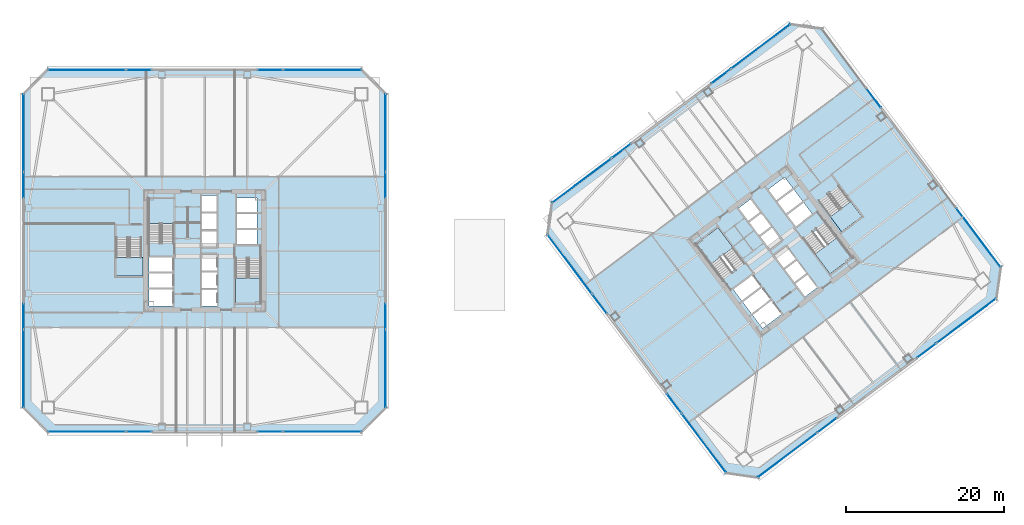
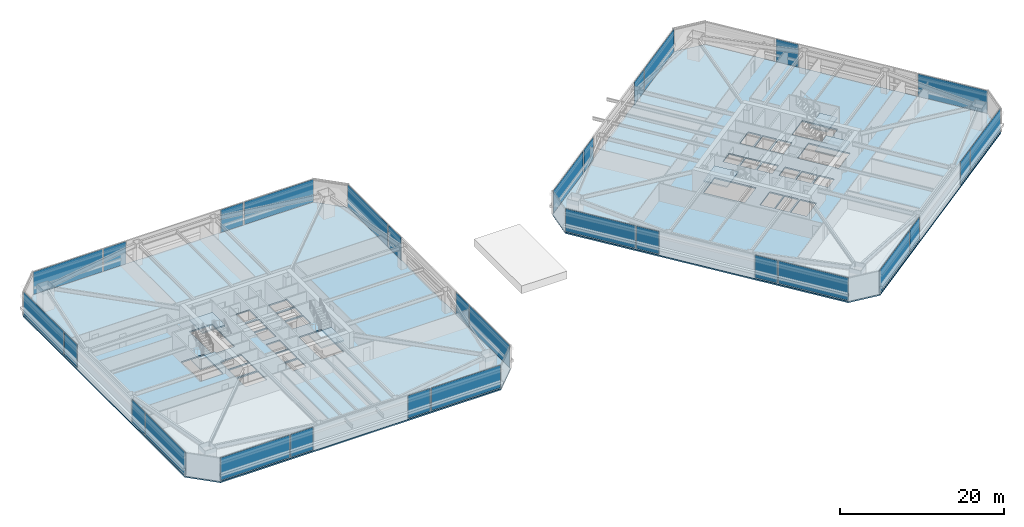
# One storey, part 32 of 46: 30 plates, 8 slabs, 36 elements without a shape of their own.
"""IFC4 building model written with IfcOpenShell, lengths in metres."""

import ifcopenshell
import ifcopenshell.guid

model = None  # the IFC model being written
_history = None  # IfcOwnerHistory: only IFC2X3 demands one
_inside = {}  # id of a spatial element -> (the spatial element, [elements in it])
_under = {}  # id of a project, library or spatial element -> (it, [spatial elements below it])
_declared = {}  # id of a project -> (the project, [libraries it declares])
_typed = {}  # id of a type object -> (the type object, [elements of that type])
_made_of = {}  # id of a material, layer set ... -> (it, [elements and type objects made of it])


def new_model(schema):
    """Start an empty IFC model of exactly this schema.

    Asked for "IFC4X3", IfcOpenShell would pick the latest addendum, in which some entities
    have other attributes; the version numbers below select the first issue.
    IFC2X3 requires an IfcOwnerHistory on every rooted entity: one is made here for all.
    """
    global model, _history
    if schema == "IFC4X3":
        model = ifcopenshell.file(schema_version=(4, 3, 0, 0))
    else:
        model = ifcopenshell.file(schema=schema)
    _inside.clear()
    _under.clear()
    _declared.clear()
    _typed.clear()
    _made_of.clear()
    _history = None
    if model.schema == "IFC2X3":
        org = make("IfcOrganization", Name="unknown")
        user = make(
            "IfcPersonAndOrganization",
            ThePerson=make("IfcPerson", FamilyName="unknown"),
            TheOrganization=org,
        )
        app = make(
            "IfcApplication",
            ApplicationDeveloper=org,
            Version="unknown",
            ApplicationFullName="unknown",
            ApplicationIdentifier="unknown",
        )
        _history = make(
            "IfcOwnerHistory",
            OwningUser=user,
            OwningApplication=app,
            ChangeAction="ADDED",
            CreationDate=0,
        )
    return model


def make(cls, **values):
    """One entity of the class cls with the attributes given. An attribute that is None is left unset."""
    return model.create_entity(
        cls, **{name: value for name, value in values.items() if value is not None}
    )


def rooted(cls, **values):
    """An entity with a GlobalId (a new one), such as an element, a storey or a relation."""
    return make(cls, GlobalId=ifcopenshell.guid.new(), OwnerHistory=_history, **values)


def si_unit(unit_type, name, prefix=None):
    """IfcSIUnit, for example si_unit("LENGTHUNIT", "METRE", prefix="MILLI")."""
    return make("IfcSIUnit", UnitType=unit_type, Prefix=prefix, Name=name)


def assignment(units):
    """IfcUnitAssignment: the units of a project."""
    return None if units is None else make("IfcUnitAssignment", Units=units)


def point(xyz):
    """IfcCartesianPoint."""
    return None if xyz is None else make("IfcCartesianPoint", Coordinates=xyz)


def direction(xyz):
    """IfcDirection."""
    return None if xyz is None else make("IfcDirection", DirectionRatios=xyz)


def frame(location, z_axis=None, x_axis=None):
    """IfcAxis2Placement3D, a coordinate frame: its origin and axes. An axis left out is left unset."""
    return make(
        "IfcAxis2Placement3D",
        Location=point(location),
        Axis=direction(z_axis),
        RefDirection=direction(x_axis),
    )


def frame_2d(location, x_axis=None):
    """IfcAxis2Placement2D, a coordinate frame in the plane: its origin and x axis."""
    return make(
        "IfcAxis2Placement2D", Location=point(location), RefDirection=direction(x_axis)
    )


def origin():
    """The frame at (0, 0, 0) with its axes left unset."""
    return frame((0.0, 0.0, 0.0))


def origin_2d():
    """The frame at (0, 0) in the plane with its x axis left unset."""
    return frame_2d((0.0, 0.0))


def place(relative_to, where):
    """IfcLocalPlacement: puts the frame where relative to a parent placement (None: the world)."""
    return make(
        "IfcLocalPlacement", PlacementRelTo=relative_to, RelativePlacement=where
    )


def context(
    kind, dimensions, precision=None, world=None, true_north=None, identifier=None
):
    """IfcGeometricRepresentationContext, for example the 3D "Model" context."""
    return make(
        "IfcGeometricRepresentationContext",
        ContextIdentifier=identifier,
        ContextType=kind,
        CoordinateSpaceDimension=dimensions,
        Precision=precision,
        WorldCoordinateSystem=world,
        TrueNorth=true_north,
    )


def subcontext(parent, identifier, kind, view, scale=None):
    """IfcGeometricRepresentationSubContext, for example "Body" below "Model"."""
    return make(
        "IfcGeometricRepresentationSubContext",
        ContextIdentifier=identifier,
        ContextType=kind,
        ParentContext=parent,
        TargetScale=scale,
        TargetView=view,
    )


def project(units=None, contexts=None):
    """IfcProject with its units and contexts."""
    return rooted(
        "IfcProject",
        Name="project",
        RepresentationContexts=contexts,
        UnitsInContext=assignment(units),
    )


def spatial(cls, under=None, at=None, **own):
    """A site, building, storey or space (cls), placed at a placement, below another one or the project."""
    s = rooted(cls, ObjectPlacement=at, **own)
    if under is not None:
        _under.setdefault(under.id(), (under, []))[1].append(s)
    return s


def polyline(points):
    """IfcPolyline through the points."""
    return make("IfcPolyline", Points=[point(p) for p in points])


def profile(cls, at=None, kind="AREA", **sizes):
    """A parametric profile (cls). Its sizes go by their IFC names, for example OverallWidth=200.0."""
    return make(cls, ProfileType=kind, Position=at, **sizes)


def rectangle(**sizes):
    """IfcRectangleProfileDef."""
    return profile("IfcRectangleProfileDef", **sizes)


def outline(outer, holes=None, kind="AREA"):
    """IfcArbitraryClosedProfileDef: a profile drawn as a closed curve; with holes, ...WithVoids."""
    if holes is None:
        return make("IfcArbitraryClosedProfileDef", ProfileType=kind, OuterCurve=outer)
    return make(
        "IfcArbitraryProfileDefWithVoids",
        ProfileType=kind,
        OuterCurve=outer,
        InnerCurves=holes,
    )


def extrude(swept, where, along, depth):
    """IfcExtrudedAreaSolid: the profile swept, set in the frame where, extruded along a direction by depth."""
    return make(
        "IfcExtrudedAreaSolid",
        SweptArea=swept,
        Position=where,
        ExtrudedDirection=direction(along),
        Depth=depth,
    )


def shape(context_of_items, identifier, shape_type, items):
    """IfcShapeRepresentation: the items that make up one representation, for example the "Body"."""
    return make(
        "IfcShapeRepresentation",
        ContextOfItems=context_of_items,
        RepresentationIdentifier=identifier,
        RepresentationType=shape_type,
        Items=items,
    )


def material(Name=None, Category=None):
    """IfcMaterial."""
    return make("IfcMaterial", Name=Name, Category=Category)


def layer(
    of_material, thickness, ventilated=None, Name=None, Category=None, Priority=None
):
    """IfcMaterialLayer: one layer of a wall or slab, of a material (None: an air gap)."""
    return make(
        "IfcMaterialLayer",
        Material=of_material,
        LayerThickness=thickness,
        IsVentilated=ventilated,
        Name=Name,
        Category=Category,
        Priority=Priority,
    )


def layer_set(layers, Name=None):
    """IfcMaterialLayerSet."""
    return make("IfcMaterialLayerSet", MaterialLayers=layers, LayerSetName=Name)


def made_of(thing, what):
    """Note that an element or type object is made of a material, layer set ...; save() writes the relation."""
    if what is not None:
        _made_of.setdefault(what.id(), (what, []))[1].append(thing)
    return thing


def type_object(cls, material=None, **own):
    """A type object (cls), such as IfcWallType, which elements share."""
    return made_of(rooted(cls, **own), material)


def element(
    cls,
    number,
    at=None,
    inside=None,
    cuts=None,
    type_object=None,
    material=None,
    context=None,
    identifier="Body",
    shape_type=None,
    held_by="IfcProductDefinitionShape",
    body=None,
    shapes=None,
    **own,
):
    """One element of the class cls, such as IfcWall. Its Tag is "e" and its number.

    at: its placement. inside: the storey or other place that contains it. cuts: it is an
    opening in that element (IfcRelVoidsElement). A single representation is given by context,
    identifier, shape_type and body (its items); several are given by shapes. held_by: the class
    of the entity that holds the representations. save() writes the other relations.
    """
    e = rooted(cls, Tag="e%d" % number, ObjectPlacement=at, **own)
    if body is not None:
        shapes = [shape(context, identifier, shape_type, body)]
    if shapes is not None:
        e.Representation = make(held_by, Representations=shapes)
    if inside is not None:
        _inside.setdefault(inside.id(), (inside, []))[1].append(e)
    if cuts is not None:
        rooted(
            "IfcRelVoidsElement", RelatingBuildingElement=cuts, RelatedOpeningElement=e
        )
    if type_object is not None:
        _typed.setdefault(type_object.id(), (type_object, []))[1].append(e)
    return made_of(e, material)


def aggregate(whole, parts):
    """IfcRelAggregates: a whole, such as a stair, and the parts it consists of."""
    return rooted("IfcRelAggregates", RelatingObject=whole, RelatedObjects=parts)


def save(model, path):
    """Write the relations noted so far, then the file.

    IfcRelAggregates (storeys below a building ...), IfcRelContainedInSpatialStructure (elements
    in a storey), IfcRelDefinesByType, IfcRelAssociatesMaterial and IfcRelDeclares: one each for
    every whole, place, type object, material and project.
    """
    for whole, parts in _under.values():
        aggregate(whole, parts)
    for where, things in _inside.values():
        rooted(
            "IfcRelContainedInSpatialStructure",
            RelatedElements=things,
            RelatingStructure=where,
        )
    for kind, things in _typed.values():
        rooted("IfcRelDefinesByType", RelatedObjects=things, RelatingType=kind)
    for what, things in _made_of.values():
        rooted("IfcRelAssociatesMaterial", RelatedObjects=things, RelatingMaterial=what)
    for by, libraries in _declared.values():
        rooted("IfcRelDeclares", RelatingContext=by, RelatedDefinitions=libraries)
    model.write(path)


model = new_model("IFC4")

# Units and contexts
model_context = context("Model", 3, precision=1e-05, world=origin(), true_north=direction((0.0, 1.0)))
body_context = subcontext(model_context, "Body", "Model", "MODEL_VIEW")
ifc_project = project(units=[si_unit("LENGTHUNIT", "METRE"), si_unit("AREAUNIT", "SQUARE_METRE"), si_unit("VOLUMEUNIT", "CUBIC_METRE"), si_unit("PLANEANGLEUNIT", "RADIAN"), si_unit("MASSUNIT", "GRAM", prefix="KILO")], contexts=[model_context])

# Site, building, storey
site_placement = place(None, origin())
site = spatial("IfcSite", under=ifc_project, at=site_placement, CompositionType="ELEMENT")
building_placement = place(site_placement, origin())
building = spatial("IfcBuilding", under=site, at=building_placement, Name="Tashvorn Skyway Center", CompositionType="ELEMENT")
storey_placement = place(building_placement, frame((0.0, 0.0, 31.699951171875)))
storey = spatial("IfcBuildingStorey", under=building, at=storey_placement, Name="L07", CompositionType="ELEMENT", Elevation=31.699951171875)

# Curtain wall, plate
ifc_material_1 = material(Name="Thermally broken bronze-anodized aluminium 6063-T6", Category="aluminium")
curtain_wall_type = type_object("IfcCurtainWallType", Name="CW-CW-Z1", PredefinedType="NOTDEFINED", material=ifc_material_1)
curtain_wall_1_placement = place(storey_placement, origin())
curtain_wall_1 = element("IfcCurtainWall", 1, at=curtain_wall_1_placement, inside=storey, type_object=curtain_wall_type, Name="Tower 1 L07 South Unitised Curtain Wall Glazing Group 1", PredefinedType="NOTDEFINED")
ifc_material_2 = material(Name="Low-E solar-control double insulating safety glass", Category="glass")
ifc_layer_1 = layer(ifc_material_2, 0.048095703125)
ifc_layer_set_1 = layer_set([ifc_layer_1], Name="Low-E solar-control double insulating safety glass")
plate_type = type_object("IfcPlateType", Name="CWP-CW-Z1", PredefinedType="CURTAIN_PANEL", material=ifc_layer_set_1)
plate_1_placement = place(storey_placement, frame((56.909912109375, 9.1201171875, 0.085205078125), z_axis=(0.0, 0.0, 1.0), x_axis=(-1.0, 0.0, 0.0)))
plate_1 = element("IfcPlate", 2, at=plate_1_placement, type_object=plate_type, Name="CW-Z1 panel 1.1", PredefinedType="CURTAIN_PANEL", context=body_context, shape_type="SweptSolid", body=[
    extrude(rectangle(XDim=9.77001953125, YDim=0.048095703125, at=origin_2d()), origin(), (0.0, 0.0, 1.0), 3.3798828125),
])
aggregate(curtain_wall_1, [plate_1])

curtain_wall_2_placement = place(storey_placement, origin())
curtain_wall_2 = element("IfcCurtainWall", 3, at=curtain_wall_2_placement, inside=storey, type_object=curtain_wall_type, Name="Tower 1 L07 South Unitised Curtain Wall Glazing Group 2", PredefinedType="NOTDEFINED")
plate_2_placement = place(storey_placement, frame((50.283447265625, 9.1201171875, 0.085205078125), z_axis=(0.0, 0.0, 1.0), x_axis=(-1.0, 0.0, 0.0)))
plate_2 = element("IfcPlate", 4, at=plate_2_placement, type_object=plate_type, Name="CW-Z1 panel 1.1", PredefinedType="CURTAIN_PANEL", context=body_context, shape_type="SweptSolid", body=[
    extrude(rectangle(XDim=3.143310546875, YDim=0.048095703125, at=origin_2d()), origin(), (0.0, 0.0, 1.0), 3.3798828125),
])
aggregate(curtain_wall_2, [plate_2])

curtain_wall_3_placement = place(storey_placement, origin())
curtain_wall_3 = element("IfcCurtainWall", 5, at=curtain_wall_3_placement, inside=storey, type_object=curtain_wall_type, Name="Tower 1 L07 South Unitised Curtain Wall Glazing Group 3", PredefinedType="NOTDEFINED")
plate_3_placement = place(storey_placement, frame((33.716552734375, 9.1201171875, 0.085205078125), z_axis=(0.0, 0.0, 1.0), x_axis=(-1.0, 0.0, 0.0)))
plate_3 = element("IfcPlate", 6, at=plate_3_placement, type_object=plate_type, Name="CW-Z1 panel 1.1", PredefinedType="CURTAIN_PANEL", context=body_context, shape_type="SweptSolid", body=[
    extrude(rectangle(XDim=3.143310546875, YDim=0.048095703125, at=origin_2d()), origin(), (0.0, 0.0, 1.0), 3.3798828125),
])
aggregate(curtain_wall_3, [plate_3])

curtain_wall_4_placement = place(storey_placement, origin())
curtain_wall_4 = element("IfcCurtainWall", 7, at=curtain_wall_4_placement, inside=storey, type_object=curtain_wall_type, Name="Tower 1 L07 South Unitised Curtain Wall Glazing Group 4", PredefinedType="NOTDEFINED")
plate_4_placement = place(storey_placement, frame((27.090087890625, 9.1201171875, 0.085205078125), z_axis=(0.0, 0.0, 1.0), x_axis=(-1.0, 0.0, 0.0)))
plate_4 = element("IfcPlate", 8, at=plate_4_placement, type_object=plate_type, Name="CW-Z1 panel 1.1", PredefinedType="CURTAIN_PANEL", context=body_context, shape_type="SweptSolid", body=[
    extrude(rectangle(XDim=9.77001953125, YDim=0.048095703125, at=origin_2d()), origin(), (0.0, 0.0, 1.0), 3.3798828125),
])
aggregate(curtain_wall_4, [plate_4])

curtain_wall_5_placement = place(storey_placement, origin())
curtain_wall_5 = element("IfcCurtainWall", 9, at=curtain_wall_5_placement, inside=storey, type_object=curtain_wall_type, Name="Tower 1 L07 West Unitised Curtain Wall Glazing Group 1", PredefinedType="NOTDEFINED")
plate_5_placement = place(storey_placement, frame((19.1201171875, 17.090087890625, 0.085205078125), z_axis=(0.0, 0.0, 1.0), x_axis=(0.0, 1.0, 0.0)))
plate_5 = element("IfcPlate", 10, at=plate_5_placement, type_object=plate_type, Name="CW-Z1 panel 1.1", PredefinedType="CURTAIN_PANEL", context=body_context, shape_type="SweptSolid", body=[
    extrude(rectangle(XDim=9.77001953125, YDim=0.048095703125, at=origin_2d()), origin(), (0.0, 0.0, 1.0), 3.3798828125),
])
aggregate(curtain_wall_5, [plate_5])

curtain_wall_6_placement = place(storey_placement, origin())
curtain_wall_6 = element("IfcCurtainWall", 11, at=curtain_wall_6_placement, inside=storey, type_object=curtain_wall_type, Name="Tower 1 L07 West Unitised Curtain Wall Glazing Group 2", PredefinedType="NOTDEFINED")
plate_6_placement = place(storey_placement, frame((19.1201171875, 23.716552734375, 0.085205078125), z_axis=(0.0, 0.0, 1.0), x_axis=(0.0, 1.0, 0.0)))
plate_6 = element("IfcPlate", 12, at=plate_6_placement, type_object=plate_type, Name="CW-Z1 panel 1.1", PredefinedType="CURTAIN_PANEL", context=body_context, shape_type="SweptSolid", body=[
    extrude(rectangle(XDim=3.143310546875, YDim=0.048095703125, at=origin_2d()), origin(), (0.0, 0.0, 1.0), 3.3798828125),
])
aggregate(curtain_wall_6, [plate_6])

curtain_wall_7_placement = place(storey_placement, origin())
curtain_wall_7 = element("IfcCurtainWall", 13, at=curtain_wall_7_placement, inside=storey, type_object=curtain_wall_type, Name="Tower 1 L07 West Unitised Curtain Wall Glazing Group 3", PredefinedType="NOTDEFINED")
plate_7_placement = place(storey_placement, frame((19.1201171875, 40.283447265625, 0.085205078125), z_axis=(0.0, 0.0, 1.0), x_axis=(0.0, 1.0, 0.0)))
plate_7 = element("IfcPlate", 14, at=plate_7_placement, type_object=plate_type, Name="CW-Z1 panel 1.1", PredefinedType="CURTAIN_PANEL", context=body_context, shape_type="SweptSolid", body=[
    extrude(rectangle(XDim=3.143310546875, YDim=0.048095703125, at=origin_2d()), origin(), (0.0, 0.0, 1.0), 3.3798828125),
])
aggregate(curtain_wall_7, [plate_7])

curtain_wall_8_placement = place(storey_placement, origin())
curtain_wall_8 = element("IfcCurtainWall", 15, at=curtain_wall_8_placement, inside=storey, type_object=curtain_wall_type, Name="Tower 1 L07 West Unitised Curtain Wall Glazing Group 4", PredefinedType="NOTDEFINED")
plate_8_placement = place(storey_placement, frame((19.1201171875, 46.909912109375, 0.085205078125), z_axis=(0.0, 0.0, 1.0), x_axis=(0.0, 1.0, 0.0)))
plate_8 = element("IfcPlate", 16, at=plate_8_placement, type_object=plate_type, Name="CW-Z1 panel 1.1", PredefinedType="CURTAIN_PANEL", context=body_context, shape_type="SweptSolid", body=[
    extrude(rectangle(XDim=9.77001953125, YDim=0.048095703125, at=origin_2d()), origin(), (0.0, 0.0, 1.0), 3.3798828125),
])
aggregate(curtain_wall_8, [plate_8])

curtain_wall_9_placement = place(storey_placement, origin())
curtain_wall_9 = element("IfcCurtainWall", 17, at=curtain_wall_9_placement, inside=storey, type_object=curtain_wall_type, Name="Tower 1 L07 North Unitised Curtain Wall Glazing Group 1", PredefinedType="NOTDEFINED")
plate_9_placement = place(storey_placement, frame((27.090087890625, 54.8798828125, 0.085205078125), z_axis=(0.0, 0.0, 1.0), x_axis=(1.0, 0.0, 0.0)))
plate_9 = element("IfcPlate", 18, at=plate_9_placement, type_object=plate_type, Name="CW-Z1 panel 1.1", PredefinedType="CURTAIN_PANEL", context=body_context, shape_type="SweptSolid", body=[
    extrude(rectangle(XDim=9.77001953125, YDim=0.048095703125, at=origin_2d()), origin(), (0.0, 0.0, 1.0), 3.3798828125),
])
aggregate(curtain_wall_9, [plate_9])

curtain_wall_10_placement = place(storey_placement, origin())
curtain_wall_10 = element("IfcCurtainWall", 19, at=curtain_wall_10_placement, inside=storey, type_object=curtain_wall_type, Name="Tower 1 L07 North Unitised Curtain Wall Glazing Group 2", PredefinedType="NOTDEFINED")
plate_10_placement = place(storey_placement, frame((33.716552734375, 54.8798828125, 0.085205078125), z_axis=(0.0, 0.0, 1.0), x_axis=(1.0, 0.0, 0.0)))
plate_10 = element("IfcPlate", 20, at=plate_10_placement, type_object=plate_type, Name="CW-Z1 panel 1.1", PredefinedType="CURTAIN_PANEL", context=body_context, shape_type="SweptSolid", body=[
    extrude(rectangle(XDim=3.143310546875, YDim=0.048095703125, at=origin_2d()), origin(), (0.0, 0.0, 1.0), 3.3798828125),
])
aggregate(curtain_wall_10, [plate_10])

curtain_wall_11_placement = place(storey_placement, origin())
curtain_wall_11 = element("IfcCurtainWall", 21, at=curtain_wall_11_placement, inside=storey, type_object=curtain_wall_type, Name="Tower 1 L07 North Unitised Curtain Wall Glazing Group 3", PredefinedType="NOTDEFINED")
plate_11_placement = place(storey_placement, frame((50.283447265625, 54.8798828125, 0.085205078125), z_axis=(0.0, 0.0, 1.0), x_axis=(1.0, 0.0, 0.0)))
plate_11 = element("IfcPlate", 22, at=plate_11_placement, type_object=plate_type, Name="CW-Z1 panel 1.1", PredefinedType="CURTAIN_PANEL", context=body_context, shape_type="SweptSolid", body=[
    extrude(rectangle(XDim=3.143310546875, YDim=0.048095703125, at=origin_2d()), origin(), (0.0, 0.0, 1.0), 3.3798828125),
])
aggregate(curtain_wall_11, [plate_11])

curtain_wall_12_placement = place(storey_placement, origin())
curtain_wall_12 = element("IfcCurtainWall", 23, at=curtain_wall_12_placement, inside=storey, type_object=curtain_wall_type, Name="Tower 1 L07 North Unitised Curtain Wall Glazing Group 4", PredefinedType="NOTDEFINED")
plate_12_placement = place(storey_placement, frame((56.909912109375, 54.8798828125, 0.085205078125), z_axis=(0.0, 0.0, 1.0), x_axis=(1.0, 0.0, 0.0)))
plate_12 = element("IfcPlate", 24, at=plate_12_placement, type_object=plate_type, Name="CW-Z1 panel 1.1", PredefinedType="CURTAIN_PANEL", context=body_context, shape_type="SweptSolid", body=[
    extrude(rectangle(XDim=9.77001953125, YDim=0.048095703125, at=origin_2d()), origin(), (0.0, 0.0, 1.0), 3.3798828125),
])
aggregate(curtain_wall_12, [plate_12])

curtain_wall_13_placement = place(storey_placement, origin())
curtain_wall_13 = element("IfcCurtainWall", 25, at=curtain_wall_13_placement, inside=storey, type_object=curtain_wall_type, Name="Tower 1 L07 East Unitised Curtain Wall Glazing Group 1", PredefinedType="NOTDEFINED")
plate_13_placement = place(storey_placement, frame((64.8798828125, 46.909912109375, 0.085205078125), z_axis=(0.0, 0.0, 1.0), x_axis=(0.0, -1.0, 0.0)))
plate_13 = element("IfcPlate", 26, at=plate_13_placement, type_object=plate_type, Name="CW-Z1 panel 1.1", PredefinedType="CURTAIN_PANEL", context=body_context, shape_type="SweptSolid", body=[
    extrude(rectangle(XDim=9.77001953125, YDim=0.048095703125, at=origin_2d()), origin(), (0.0, 0.0, 1.0), 3.3798828125),
])
aggregate(curtain_wall_13, [plate_13])

curtain_wall_14_placement = place(storey_placement, origin())
curtain_wall_14 = element("IfcCurtainWall", 27, at=curtain_wall_14_placement, inside=storey, type_object=curtain_wall_type, Name="Tower 1 L07 East Unitised Curtain Wall Glazing Group 2", PredefinedType="NOTDEFINED")
plate_14_placement = place(storey_placement, frame((64.8798828125, 40.283447265625, 0.085205078125), z_axis=(0.0, 0.0, 1.0), x_axis=(0.0, -1.0, 0.0)))
plate_14 = element("IfcPlate", 28, at=plate_14_placement, type_object=plate_type, Name="CW-Z1 panel 1.1", PredefinedType="CURTAIN_PANEL", context=body_context, shape_type="SweptSolid", body=[
    extrude(rectangle(XDim=3.143310546875, YDim=0.048095703125, at=origin_2d()), origin(), (0.0, 0.0, 1.0), 3.3798828125),
])
aggregate(curtain_wall_14, [plate_14])

curtain_wall_15_placement = place(storey_placement, origin())
curtain_wall_15 = element("IfcCurtainWall", 29, at=curtain_wall_15_placement, inside=storey, type_object=curtain_wall_type, Name="Tower 1 L07 East Unitised Curtain Wall Glazing Group 3", PredefinedType="NOTDEFINED")
plate_15_placement = place(storey_placement, frame((64.8798828125, 23.716552734375, 0.085205078125), z_axis=(0.0, 0.0, 1.0), x_axis=(0.0, -1.0, 0.0)))
plate_15 = element("IfcPlate", 30, at=plate_15_placement, type_object=plate_type, Name="CW-Z1 panel 1.1", PredefinedType="CURTAIN_PANEL", context=body_context, shape_type="SweptSolid", body=[
    extrude(rectangle(XDim=3.143310546875, YDim=0.048095703125, at=origin_2d()), origin(), (0.0, 0.0, 1.0), 3.3798828125),
])
aggregate(curtain_wall_15, [plate_15])

curtain_wall_16_placement = place(storey_placement, origin())
curtain_wall_16 = element("IfcCurtainWall", 31, at=curtain_wall_16_placement, inside=storey, type_object=curtain_wall_type, Name="Tower 1 L07 East Unitised Curtain Wall Glazing Group 4", PredefinedType="NOTDEFINED")
plate_16_placement = place(storey_placement, frame((64.8798828125, 17.090087890625, 0.085205078125), z_axis=(0.0, 0.0, 1.0), x_axis=(0.0, -1.0, 0.0)))
plate_16 = element("IfcPlate", 32, at=plate_16_placement, type_object=plate_type, Name="CW-Z1 panel 1.1", PredefinedType="CURTAIN_PANEL", context=body_context, shape_type="SweptSolid", body=[
    extrude(rectangle(XDim=9.77001953125, YDim=0.048095703125, at=origin_2d()), origin(), (0.0, 0.0, 1.0), 3.3798828125),
])
aggregate(curtain_wall_16, [plate_16])

curtain_wall_17_placement = place(storey_placement, origin())
curtain_wall_17 = element("IfcCurtainWall", 33, at=curtain_wall_17_placement, inside=storey, type_object=curtain_wall_type, Name="Tower 2 L07 South Unitised Curtain Wall Glazing Group 1", PredefinedType="NOTDEFINED")
plate_17_placement = place(storey_placement, frame((138.3359375, 23.152099609375, 0.085205078125), z_axis=(0.0, 0.0, 1.0), x_axis=(-0.799999999998, -0.600000000002, 0.0)))
plate_17 = element("IfcPlate", 34, at=plate_17_placement, type_object=plate_type, Name="CW-Z1 panel 1.1", PredefinedType="CURTAIN_PANEL", context=body_context, shape_type="SweptSolid", body=[
    extrude(rectangle(XDim=9.27001953125, YDim=0.048095703125, at=origin_2d()), origin(), (0.0, 0.0, 1.0), 3.3798828125),
])
aggregate(curtain_wall_17, [plate_17])

curtain_wall_18_placement = place(storey_placement, origin())
curtain_wall_18 = element("IfcCurtainWall", 35, at=curtain_wall_18_placement, inside=storey, type_object=curtain_wall_type, Name="Tower 2 L07 South Unitised Curtain Wall Glazing Group 2", PredefinedType="NOTDEFINED")
plate_18_placement = place(storey_placement, frame((133.30126953125, 19.3759765625, 0.085205078125), z_axis=(0.0, 0.0, 1.0), x_axis=(-0.799996186392, -0.600005084776, 0.0)))
plate_18 = element("IfcPlate", 36, at=plate_18_placement, type_object=plate_type, Name="CW-Z1 panel 1.1", PredefinedType="CURTAIN_PANEL", context=body_context, shape_type="SweptSolid", body=[
    extrude(rectangle(XDim=2.9765625, YDim=0.048095703125, at=origin_2d()), origin(), (0.0, 0.0, 1.0), 3.3798828125),
])
aggregate(curtain_wall_18, [plate_18])

curtain_wall_19_placement = place(storey_placement, origin())
curtain_wall_19 = element("IfcCurtainWall", 37, at=curtain_wall_19_placement, inside=storey, type_object=curtain_wall_type, Name="Tower 2 L07 South Unitised Curtain Wall Glazing Group 3", PredefinedType="NOTDEFINED")
plate_19_placement = place(storey_placement, frame((120.714599609375, 9.93603515625, 0.085205078125), z_axis=(0.0, 0.0, 1.0), x_axis=(-0.799996186392, -0.600005084776, 0.0)))
plate_19 = element("IfcPlate", 38, at=plate_19_placement, type_object=plate_type, Name="CW-Z1 panel 1.1", PredefinedType="CURTAIN_PANEL", context=body_context, shape_type="SweptSolid", body=[
    extrude(rectangle(XDim=2.9765625, YDim=0.048095703125, at=origin_2d()), origin(), (0.0, 0.0, 1.0), 3.3798828125),
])
aggregate(curtain_wall_19, [plate_19])

curtain_wall_20_placement = place(storey_placement, origin())
curtain_wall_20 = element("IfcCurtainWall", 39, at=curtain_wall_20_placement, inside=storey, type_object=curtain_wall_type, Name="Tower 2 L07 South Unitised Curtain Wall Glazing Group 4", PredefinedType="NOTDEFINED")
plate_20_placement = place(storey_placement, frame((115.679931640625, 6.159912109375, 0.085205078125), z_axis=(0.0, 0.0, 1.0), x_axis=(-0.799999999998, -0.600000000002, 0.0)))
plate_20 = element("IfcPlate", 40, at=plate_20_placement, type_object=plate_type, Name="CW-Z1 panel 1.1", PredefinedType="CURTAIN_PANEL", context=body_context, shape_type="SweptSolid", body=[
    extrude(rectangle(XDim=9.27001953125, YDim=0.048095703125, at=origin_2d()), origin(), (0.0, 0.0, 1.0), 3.3798828125),
])
aggregate(curtain_wall_20, [plate_20])

curtain_wall_21_placement = place(storey_placement, origin())
curtain_wall_21 = element("IfcCurtainWall", 41, at=curtain_wall_21_placement, inside=storey, type_object=curtain_wall_type, Name="Tower 2 L07 West Unitised Curtain Wall Glazing Group 1", PredefinedType="NOTDEFINED")
plate_21_placement = place(storey_placement, frame((105.152099609375, 7.6640625, 0.085205078125), z_axis=(0.0, 0.0, 1.0), x_axis=(-0.600000000002, 0.799999999998, 0.0)))
plate_21 = element("IfcPlate", 42, at=plate_21_placement, type_object=plate_type, Name="CW-Z1 panel 1.1", PredefinedType="CURTAIN_PANEL", context=body_context, shape_type="SweptSolid", body=[
    extrude(rectangle(XDim=9.27001953125, YDim=0.048095703125, at=origin_2d()), origin(), (0.0, 0.0, 1.0), 3.3798828125),
])
aggregate(curtain_wall_21, [plate_21])

curtain_wall_22_placement = place(storey_placement, origin())
curtain_wall_22 = element("IfcCurtainWall", 43, at=curtain_wall_22_placement, inside=storey, type_object=curtain_wall_type, Name="Tower 2 L07 West Unitised Curtain Wall Glazing Group 2", PredefinedType="NOTDEFINED")
plate_22_placement = place(storey_placement, frame((101.3759765625, 12.69873046875, 0.085205078125), z_axis=(0.0, 0.0, 1.0), x_axis=(-0.600005084776, 0.799996186392, 0.0)))
plate_22 = element("IfcPlate", 44, at=plate_22_placement, type_object=plate_type, Name="CW-Z1 panel 1.1", PredefinedType="CURTAIN_PANEL", context=body_context, shape_type="SweptSolid", body=[
    extrude(rectangle(XDim=2.9765625, YDim=0.048095703125, at=origin_2d()), origin(), (0.0, 0.0, 1.0), 3.3798828125),
])
aggregate(curtain_wall_22, [plate_22])

curtain_wall_23_placement = place(storey_placement, origin())
curtain_wall_23 = element("IfcCurtainWall", 45, at=curtain_wall_23_placement, inside=storey, type_object=curtain_wall_type, Name="Tower 2 L07 West Unitised Curtain Wall Glazing Group 3", PredefinedType="NOTDEFINED")
plate_23_placement = place(storey_placement, frame((91.93603515625, 25.285400390625, 0.085205078125), z_axis=(0.0, 0.0, 1.0), x_axis=(-0.600005084776, 0.799996186392, 0.0)))
plate_23 = element("IfcPlate", 46, at=plate_23_placement, type_object=plate_type, Name="CW-Z1 panel 1.1", PredefinedType="CURTAIN_PANEL", context=body_context, shape_type="SweptSolid", body=[
    extrude(rectangle(XDim=2.9765625, YDim=0.048095703125, at=origin_2d()), origin(), (0.0, 0.0, 1.0), 3.3798828125),
])
aggregate(curtain_wall_23, [plate_23])

curtain_wall_24_placement = place(storey_placement, origin())
curtain_wall_24 = element("IfcCurtainWall", 47, at=curtain_wall_24_placement, inside=storey, type_object=curtain_wall_type, Name="Tower 2 L07 West Unitised Curtain Wall Glazing Group 4", PredefinedType="NOTDEFINED")
plate_24_placement = place(storey_placement, frame((88.159912109375, 30.320068359375, 0.085205078125), z_axis=(0.0, 0.0, 1.0), x_axis=(-0.600000000002, 0.799999999998, 0.0)))
plate_24 = element("IfcPlate", 48, at=plate_24_placement, type_object=plate_type, Name="CW-Z1 panel 1.1", PredefinedType="CURTAIN_PANEL", context=body_context, shape_type="SweptSolid", body=[
    extrude(rectangle(XDim=9.27001953125, YDim=0.048095703125, at=origin_2d()), origin(), (0.0, 0.0, 1.0), 3.3798828125),
])
aggregate(curtain_wall_24, [plate_24])

curtain_wall_25_placement = place(storey_placement, origin())
curtain_wall_25 = element("IfcCurtainWall", 49, at=curtain_wall_25_placement, inside=storey, type_object=curtain_wall_type, Name="Tower 2 L07 North Unitised Curtain Wall Glazing Group 1", PredefinedType="NOTDEFINED")
plate_25_placement = place(storey_placement, frame((89.6640625, 40.847900390625, 0.085205078125), z_axis=(0.0, 0.0, 1.0), x_axis=(0.799999999998, 0.600000000002, 0.0)))
plate_25 = element("IfcPlate", 50, at=plate_25_placement, type_object=plate_type, Name="CW-Z1 panel 1.1", PredefinedType="CURTAIN_PANEL", context=body_context, shape_type="SweptSolid", body=[
    extrude(rectangle(XDim=9.27001953125, YDim=0.048095703125, at=origin_2d()), origin(), (0.0, 0.0, 1.0), 3.3798828125),
])
aggregate(curtain_wall_25, [plate_25])

curtain_wall_26_placement = place(storey_placement, origin())
curtain_wall_26 = element("IfcCurtainWall", 51, at=curtain_wall_26_placement, inside=storey, type_object=curtain_wall_type, Name="Tower 2 L07 North Unitised Curtain Wall Glazing Group 2", PredefinedType="NOTDEFINED")
plate_26_placement = place(storey_placement, frame((94.69873046875, 44.6240234375, 0.085205078125), z_axis=(0.0, 0.0, 1.0), x_axis=(0.799996186392, 0.600005084776, 0.0)))
plate_26 = element("IfcPlate", 52, at=plate_26_placement, type_object=plate_type, Name="CW-Z1 panel 1.1", PredefinedType="CURTAIN_PANEL", context=body_context, shape_type="SweptSolid", body=[
    extrude(rectangle(XDim=2.9765625, YDim=0.048095703125, at=origin_2d()), origin(), (0.0, 0.0, 1.0), 3.3798828125),
])
aggregate(curtain_wall_26, [plate_26])

curtain_wall_27_placement = place(storey_placement, origin())
curtain_wall_27 = element("IfcCurtainWall", 53, at=curtain_wall_27_placement, inside=storey, type_object=curtain_wall_type, Name="Tower 2 L07 North Unitised Curtain Wall Glazing Group 3", PredefinedType="NOTDEFINED")
plate_27_placement = place(storey_placement, frame((107.285400390625, 54.06396484375, 0.085205078125), z_axis=(0.0, 0.0, 1.0), x_axis=(0.799996186392, 0.600005084776, 0.0)))
plate_27 = element("IfcPlate", 54, at=plate_27_placement, type_object=plate_type, Name="CW-Z1 panel 1.1", PredefinedType="CURTAIN_PANEL", context=body_context, shape_type="SweptSolid", body=[
    extrude(rectangle(XDim=2.9765625, YDim=0.048095703125, at=origin_2d()), origin(), (0.0, 0.0, 1.0), 3.3798828125),
])
aggregate(curtain_wall_27, [plate_27])

curtain_wall_28_placement = place(storey_placement, origin())
curtain_wall_28 = element("IfcCurtainWall", 55, at=curtain_wall_28_placement, inside=storey, type_object=curtain_wall_type, Name="Tower 2 L07 North Unitised Curtain Wall Glazing Group 4", PredefinedType="NOTDEFINED")
plate_28_placement = place(storey_placement, frame((112.320068359375, 57.840087890625, 0.085205078125), z_axis=(0.0, 0.0, 1.0), x_axis=(0.799999999998, 0.600000000002, 0.0)))
plate_28 = element("IfcPlate", 56, at=plate_28_placement, type_object=plate_type, Name="CW-Z1 panel 1.1", PredefinedType="CURTAIN_PANEL", context=body_context, shape_type="SweptSolid", body=[
    extrude(rectangle(XDim=9.27001953125, YDim=0.048095703125, at=origin_2d()), origin(), (0.0, 0.0, 1.0), 3.3798828125),
])
aggregate(curtain_wall_28, [plate_28])

curtain_wall_29_placement = place(storey_placement, origin())
curtain_wall_29 = element("IfcCurtainWall", 57, at=curtain_wall_29_placement, inside=storey, type_object=curtain_wall_type, Name="Tower 2 L07 East Unitised Curtain Wall Glazing Group 2", PredefinedType="NOTDEFINED")
plate_29_placement = place(storey_placement, frame((126.6240234375, 51.30126953125, 0.085205078125), z_axis=(0.0, 0.0, 1.0), x_axis=(0.600005084776, -0.799996186392, 0.0)))
plate_29 = element("IfcPlate", 58, at=plate_29_placement, type_object=plate_type, Name="CW-Z1 panel 1.1", PredefinedType="CURTAIN_PANEL", context=body_context, shape_type="SweptSolid", body=[
    extrude(rectangle(XDim=2.9765625, YDim=0.048095703125, at=origin_2d()), origin(), (0.0, 0.0, 1.0), 3.3798828125),
])
aggregate(curtain_wall_29, [plate_29])

curtain_wall_30_placement = place(storey_placement, origin())
curtain_wall_30 = element("IfcCurtainWall", 59, at=curtain_wall_30_placement, inside=storey, type_object=curtain_wall_type, Name="Tower 2 L07 East Unitised Curtain Wall Glazing Group 4", PredefinedType="NOTDEFINED")
plate_30_placement = place(storey_placement, frame((139.840087890625, 33.679931640625, 0.085205078125), z_axis=(0.0, 0.0, 1.0), x_axis=(0.600000000002, -0.799999999998, 0.0)))
plate_30 = element("IfcPlate", 60, at=plate_30_placement, type_object=plate_type, Name="CW-Z1 panel 1.1", PredefinedType="CURTAIN_PANEL", context=body_context, shape_type="SweptSolid", body=[
    extrude(rectangle(XDim=9.27001953125, YDim=0.048095703125, at=origin_2d()), origin(), (0.0, 0.0, 1.0), 3.3798828125),
])
aggregate(curtain_wall_30, [plate_30])

# Slabs
ifc_material_3 = material(Name="Concrete C40/50", Category="concrete")
ifc_layer_2 = layer(ifc_material_3, 0.199951171875)
ifc_layer_set_2 = layer_set([ifc_layer_2], Name="Concrete C40/50")
slab_type_1 = type_object("IfcSlabType", Name="SLAB-FLR-200", PredefinedType="FLOOR", material=ifc_layer_set_2)
slab_1_placement = place(storey_placement, frame((0.0, 0.0, -0.199951171875)))
element("IfcSlab", 61, at=slab_1_placement, inside=storey, type_object=slab_type_1, Name="Tower 1 L07 Composite Floor Slab", PredefinedType="FLOOR", context=body_context, shape_type="SweptSolid", body=[
    extrude(outline(polyline([(22.199951171875, 9.0), (61.800048828125, 9.0), (65.0, 12.199951171875), (65.0, 51.800048828125), (61.800048828125, 55.0), (22.199951171875, 55.0), (19.0, 51.800048828125), (19.0, 12.199951171875), (22.199951171875, 9.0)]), holes=[polyline([(38.10009765625, 33.080078125), (38.10009765625, 38.60009765625), (34.89990234375, 38.60009765625), (34.89990234375, 33.080078125), (38.10009765625, 33.080078125)]), polyline([(45.89990234375, 30.919921875), (45.89990234375, 25.39990234375), (49.10009765625, 25.39990234375), (49.10009765625, 30.919921875), (45.89990234375, 30.919921875)]), polyline([(30.800048828125, 33.52001953125), (30.800048828125, 28.800048828125), (34.0, 28.800048828125), (34.0, 33.52001953125), (30.800048828125, 33.52001953125)]), polyline([(34.949951171875, 29.35009765625), (37.949951171875, 29.35009765625), (37.949951171875, 31.199951171875), (34.949951171875, 31.199951171875), (34.949951171875, 29.35009765625)]), polyline([(34.949951171875, 27.35009765625), (37.949951171875, 27.35009765625), (37.949951171875, 29.199951171875), (34.949951171875, 29.199951171875), (34.949951171875, 27.35009765625)]), polyline([(34.949951171875, 25.0), (37.949951171875, 25.0), (37.949951171875, 27.14990234375), (34.949951171875, 27.14990234375), (34.949951171875, 25.0)]), polyline([(41.64990234375, 25.0), (43.550048828125, 25.0), (43.550048828125, 27.050048828125), (41.64990234375, 27.050048828125), (41.64990234375, 25.0)]), polyline([(41.64990234375, 27.25), (43.550048828125, 27.25), (43.550048828125, 29.300048828125), (41.64990234375, 29.300048828125), (41.64990234375, 27.25)]), polyline([(41.64990234375, 29.5), (43.550048828125, 29.5), (43.550048828125, 31.550048828125), (41.64990234375, 31.550048828125), (41.64990234375, 29.5)]), polyline([(41.64990234375, 32.449951171875), (43.550048828125, 32.449951171875), (43.550048828125, 34.5), (41.64990234375, 34.5), (41.64990234375, 32.449951171875)]), polyline([(41.64990234375, 34.699951171875), (43.550048828125, 34.699951171875), (43.550048828125, 36.75), (41.64990234375, 36.75), (41.64990234375, 34.699951171875)]), polyline([(41.64990234375, 36.949951171875), (43.550048828125, 36.949951171875), (43.550048828125, 39.0), (41.64990234375, 39.0), (41.64990234375, 36.949951171875)]), polyline([(46.050048828125, 32.800048828125), (48.64990234375, 32.800048828125), (48.64990234375, 34.64990234375), (46.050048828125, 34.64990234375), (46.050048828125, 32.800048828125)]), polyline([(46.050048828125, 34.85009765625), (48.64990234375, 34.85009765625), (48.64990234375, 36.699951171875), (46.050048828125, 36.699951171875), (46.050048828125, 34.85009765625)]), polyline([(46.050048828125, 36.89990234375), (48.64990234375, 36.89990234375), (48.64990234375, 38.64990234375), (46.050048828125, 38.64990234375), (46.050048828125, 36.89990234375)])]), origin(), (0.0, 0.0, 1.0), 0.199951171875),
])
slab_2_placement = place(storey_placement, frame((0.0, 0.0, -0.199951171875)))
element("IfcSlab", 62, at=slab_2_placement, inside=storey, type_object=slab_type_1, Name="Tower 2 L07 Composite Floor Slab", PredefinedType="FLOOR", context=body_context, shape_type="SweptSolid", body=[
    extrude(outline(polyline([(112.0400390625, 3.280029296875), (142.1201171875, 25.840087890625), (142.719970703125, 30.0400390625), (120.159912109375, 60.1201171875), (115.9599609375, 60.719970703125), (85.8798828125, 38.159912109375), (85.280029296875, 33.9599609375), (107.840087890625, 3.8798828125), (112.0400390625, 3.280029296875)]), holes=[polyline([(110.23193359375, 30.52392578125), (106.919921875, 34.93994140625), (104.135986328125, 32.85205078125), (107.447998046875, 28.43603515625), (110.23193359375, 30.52392578125)]), polyline([(117.76806640625, 33.47607421875), (121.080078125, 29.06005859375), (123.864013671875, 31.14794921875), (120.552001953125, 35.56396484375), (117.76806640625, 33.47607421875)]), polyline([(119.7119140625, 38.18408203125), (122.5439453125, 34.407958984375), (125.10400390625, 36.327880859375), (122.27197265625, 40.10400390625), (119.7119140625, 38.18408203125)]), polyline([(109.949951171875, 25.64990234375), (112.35009765625, 27.449951171875), (111.239990234375, 28.929931640625), (108.840087890625, 27.1298828125), (109.949951171875, 25.64990234375)]), polyline([(111.14990234375, 24.050048828125), (113.550048828125, 25.85009765625), (112.43994140625, 27.330078125), (110.0400390625, 25.530029296875), (111.14990234375, 24.050048828125)]), polyline([(112.56005859375, 22.169921875), (114.9599609375, 23.969970703125), (113.669921875, 25.68994140625), (111.27001953125, 23.889892578125), (112.56005859375, 22.169921875)]), polyline([(117.919921875, 26.18994140625), (119.43994140625, 27.330078125), (118.2099609375, 28.969970703125), (116.68994140625, 27.830078125), (117.919921875, 26.18994140625)]), polyline([(116.570068359375, 27.989990234375), (118.090087890625, 29.1298828125), (116.860107421875, 30.77001953125), (115.340087890625, 29.6298828125), (116.570068359375, 27.989990234375)]), polyline([(115.219970703125, 29.7900390625), (116.739990234375, 30.929931640625), (115.510009765625, 32.570068359375), (113.989990234375, 31.429931640625), (115.219970703125, 29.7900390625)]), polyline([(113.449951171875, 32.14990234375), (114.969970703125, 33.2900390625), (113.739990234375, 34.929931640625), (112.219970703125, 33.7900390625), (113.449951171875, 32.14990234375)]), polyline([(112.10009765625, 33.949951171875), (113.6201171875, 35.090087890625), (112.389892578125, 36.72998046875), (110.8701171875, 35.590087890625), (112.10009765625, 33.949951171875)]), polyline([(110.75, 35.75), (112.27001953125, 36.889892578125), (111.0400390625, 38.530029296875), (109.52001953125, 37.389892578125), (110.75, 35.75)]), polyline([(116.760009765625, 35.070068359375), (118.840087890625, 36.6298828125), (117.72998046875, 38.110107421875), (115.64990234375, 36.550048828125), (116.760009765625, 35.070068359375)]), polyline([(115.530029296875, 36.7099609375), (117.610107421875, 38.27001953125), (116.5, 39.75), (114.419921875, 38.18994140625), (115.530029296875, 36.7099609375)]), polyline([(114.300048828125, 38.35009765625), (116.3798828125, 39.909912109375), (115.330078125, 41.31005859375), (113.25, 39.75), (114.300048828125, 38.35009765625)])]), origin(), (0.0, 0.0, 1.0), 0.199951171875),
])

# Stair, slab
stair_type = type_object("IfcStairType", Name="STAIR-CORE-1500", PredefinedType="HALF_TURN_STAIR", material=ifc_material_3)
stair_1_placement = place(storey_placement, origin())
stair_1 = element("IfcStair", 63, at=stair_1_placement, inside=storey, type_object=stair_type, Name="L07 Tower 1 Exit Stair 1", PredefinedType="HALF_TURN_STAIR")
ifc_layer_3 = layer(ifc_material_3, 0.199951171875)
ifc_layer_set_3 = layer_set([ifc_layer_3], Name="Concrete C40/50")
slab_type_2 = type_object("IfcSlabType", Name="SLAB-LAND-200", PredefinedType="LANDING", material=ifc_layer_set_3)
slab_3_placement = place(storey_placement, frame((0.0, 0.0, 1.574951171875)))
slab_3 = element("IfcSlab", 64, at=slab_3_placement, type_object=slab_type_2, Name="ST-T1-1 landing 1", PredefinedType="LANDING", context=body_context, shape_type="SweptSolid", body=[
    extrude(outline(polyline([(38.10009765625, 35.43994140625), (38.10009765625, 38.60009765625), (34.89990234375, 38.60009765625), (34.89990234375, 35.43994140625), (38.10009765625, 35.43994140625)])), origin(), (0.0, 0.0, 1.0), 0.2001953125),
])
aggregate(stair_1, [slab_3])

stair_2_placement = place(storey_placement, origin())
stair_2 = element("IfcStair", 65, at=stair_2_placement, inside=storey, type_object=stair_type, Name="L07 Tower 1 Exit Stair 2", PredefinedType="HALF_TURN_STAIR")
slab_4_placement = place(storey_placement, frame((0.0, 0.0, 1.574951171875)))
slab_4 = element("IfcSlab", 66, at=slab_4_placement, type_object=slab_type_2, Name="ST-T1-2 landing 1", PredefinedType="LANDING", context=body_context, shape_type="SweptSolid", body=[
    extrude(outline(polyline([(45.89990234375, 28.56005859375), (45.89990234375, 25.39990234375), (49.10009765625, 25.39990234375), (49.10009765625, 28.56005859375), (45.89990234375, 28.56005859375)])), origin(), (0.0, 0.0, 1.0), 0.2001953125),
])
aggregate(stair_2, [slab_4])

stair_3_placement = place(storey_placement, origin())
stair_3 = element("IfcStair", 67, at=stair_3_placement, inside=storey, type_object=stair_type, Name="L07 Tower 2 Exit Stair 1", PredefinedType="HALF_TURN_STAIR")
slab_5_placement = place(storey_placement, frame((0.0, 0.0, 1.574951171875)))
slab_5 = element("IfcSlab", 68, at=slab_5_placement, type_object=slab_type_2, Name="ST-T2-1 landing 1", PredefinedType="LANDING", context=body_context, shape_type="SweptSolid", body=[
    extrude(outline(polyline([(108.82080078125, 32.405517578125), (106.919921875, 34.93994140625), (104.135986328125, 32.85205078125), (106.036865234375, 30.317626953125), (108.82080078125, 32.405517578125)])), origin(), (0.0, 0.0, 1.0), 0.2001953125),
])
aggregate(stair_3, [slab_5])

stair_4_placement = place(storey_placement, origin())
stair_4 = element("IfcStair", 69, at=stair_4_placement, inside=storey, type_object=stair_type, Name="L07 Tower 2 Exit Stair 2", PredefinedType="HALF_TURN_STAIR")
slab_6_placement = place(storey_placement, frame((0.0, 0.0, 1.574951171875)))
slab_6 = element("IfcSlab", 70, at=slab_6_placement, type_object=slab_type_2, Name="ST-T2-2 landing 1", PredefinedType="LANDING", context=body_context, shape_type="SweptSolid", body=[
    extrude(outline(polyline([(119.17919921875, 31.594482421875), (121.080078125, 29.06005859375), (123.864013671875, 31.14794921875), (121.963134765625, 33.682373046875), (119.17919921875, 31.594482421875)])), origin(), (0.0, 0.0, 1.0), 0.2001953125),
])
aggregate(stair_4, [slab_6])

stair_5_placement = place(storey_placement, origin())
stair_5 = element("IfcStair", 71, at=stair_5_placement, inside=storey, type_object=stair_type, Name="L07 Tower 1 Exit Stair 3", PredefinedType="HALF_TURN_STAIR")
slab_7_placement = place(storey_placement, frame((0.0, 0.0, 1.574951171875)))
slab_7 = element("IfcSlab", 72, at=slab_7_placement, type_object=slab_type_2, Name="ST-T1-3 landing 1", PredefinedType="LANDING", context=body_context, shape_type="SweptSolid", body=[
    extrude(outline(polyline([(30.800048828125, 31.159912109375), (30.800048828125, 28.800048828125), (34.199951171875, 28.800048828125), (34.199951171875, 31.159912109375), (30.800048828125, 31.159912109375)])), origin(), (0.0, 0.0, 1.0), 0.2001953125),
])
aggregate(stair_5, [slab_7])

stair_6_placement = place(storey_placement, origin())
stair_6 = element("IfcStair", 73, at=stair_6_placement, inside=storey, type_object=stair_type, Name="L07 Tower 2 Exit Stair 3", PredefinedType="HALF_TURN_STAIR")
slab_8_placement = place(storey_placement, frame((0.0, 0.0, 1.574951171875)))
slab_8 = element("IfcSlab", 74, at=slab_8_placement, type_object=slab_type_2, Name="ST-T2-3 landing 1", PredefinedType="LANDING", context=body_context, shape_type="SweptSolid", body=[
    extrude(outline(polyline([(121.123291015625, 36.302490234375), (122.5439453125, 34.407958984375), (125.10400390625, 36.327880859375), (123.68310546875, 38.222412109375), (121.123291015625, 36.302490234375)])), origin(), (0.0, 0.0, 1.0), 0.2001953125),
])
aggregate(stair_6, [slab_8])

save(model, "model.ifc")
